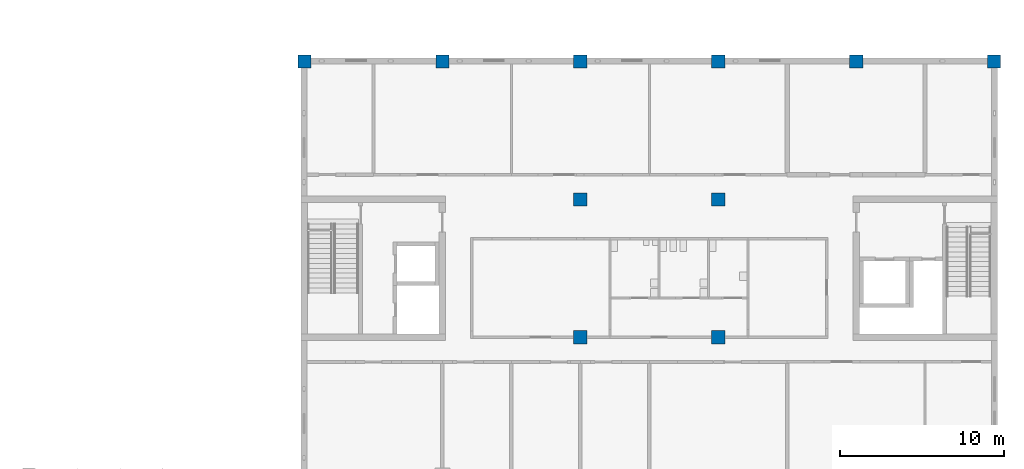
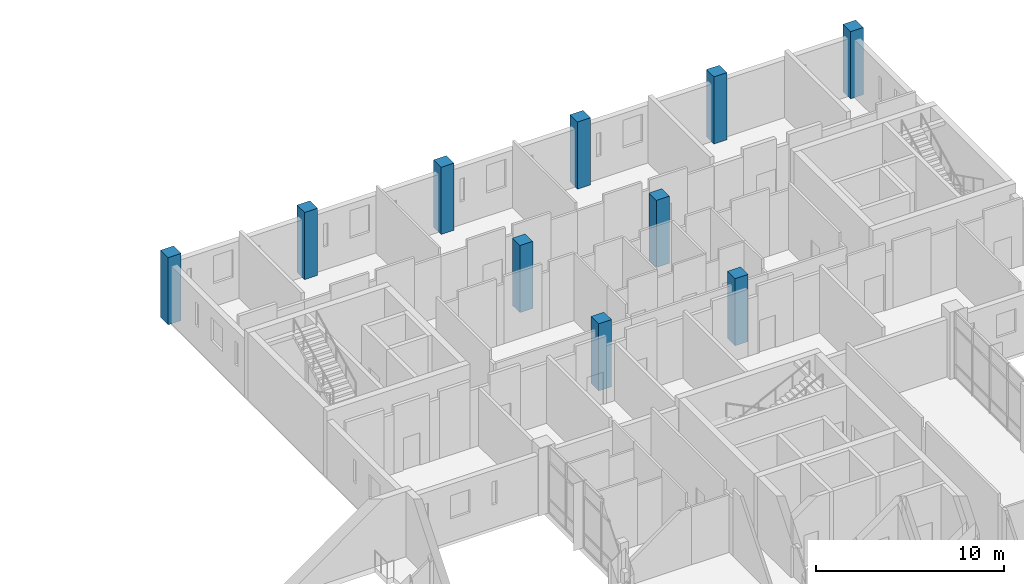
# One storey, part 5 of 70: 10 columns.
"""IFC4 building model written with IfcOpenShell, lengths in metres."""

from ifc_helpers import new_model, si_unit, direction, frame, origin, origin_2d, place, context, subcontext, project, spatial, rectangle, extrude, material, material_profile, profile_set, type_object, element, save


model = new_model("IFC4")

# Units and contexts
model_context = context("Model", 3, precision=1e-05, world=origin(), true_north=direction((0.0, 1.0)))
body_context = subcontext(model_context, "Body", "Model", "MODEL_VIEW")
ifc_project = project(units=[si_unit("LENGTHUNIT", "METRE"), si_unit("AREAUNIT", "SQUARE_METRE"), si_unit("VOLUMEUNIT", "CUBIC_METRE"), si_unit("PLANEANGLEUNIT", "RADIAN"), si_unit("MASSUNIT", "GRAM", prefix="KILO")], contexts=[model_context])

# Site, building, storey
site_placement = place(None, origin())
site = spatial("IfcSite", under=ifc_project, at=site_placement, CompositionType="ELEMENT")
building_placement = place(site_placement, origin())
building = spatial("IfcBuilding", under=site, at=building_placement, Name="Hlaing Beacon Police Headquarters", CompositionType="ELEMENT")
storey_placement = place(building_placement, frame((0.0, 0.0, 5.39990234375)))
storey = spatial("IfcBuildingStorey", under=building, at=storey_placement, Name="L01", CompositionType="ELEMENT", Elevation=5.39990234375)

# Columns
ifc_material = material(Name="Concrete C50/60", Category="concrete")
ifc_material_profile = material_profile(ifc_material, rectangle(XDim=0.800048828125, YDim=0.800048828125, at=origin_2d()), Name="800x800")
ifc_profile_set = profile_set([ifc_material_profile], Name="Concrete C50/60")
column_type = type_object("IfcColumnType", Name="RC column 800x800 C50/60", PredefinedType="COLUMN", material=ifc_profile_set)
for number, where, z_axis, x_axis, name in (
    (1, (92.39990234375, 92.39990234375, 0.0), (0.0, 0.0, 1.0), (1.0, 0.0, 0.0), "STR-COL-L01-M12"),
    (2, (100.800048828125, 92.39990234375, 0.0), (0.0, 0.0, 1.0), (1.0, 0.0, 0.0), "STR-COL-L01-N12"),
    (3, (109.199951171875, 75.60009765625, 0.0), (0.0, 0.0, 1.0), (1.0, 0.0, 0.0), "STR-COL-L01-P10"),
    (4, (109.199951171875, 84.0, 0.0), (0.0, 0.0, 1.0), (1.0, 0.0, 0.0), "STR-COL-L01-P11"),
    (5, (109.199951171875, 92.39990234375, 0.0), (0.0, 0.0, 1.0), (1.0, 0.0, 0.0), "STR-COL-L01-P12"),
    (6, (117.60009765625, 75.60009765625, 0.0), (0.0, 0.0, 1.0), (1.0, 0.0, 0.0), "STR-COL-L01-Q10"),
    (7, (117.60009765625, 84.0, 0.0), (0.0, 0.0, 1.0), (1.0, 0.0, 0.0), "STR-COL-L01-Q11"),
    (8, (117.60009765625, 92.39990234375, 0.0), (0.0, 0.0, 1.0), (1.0, 0.0, 0.0), "STR-COL-L01-Q12"),
    (9, (126.0, 92.39990234375, 0.0), (0.0, 0.0, 1.0), (1.0, 0.0, 0.0), "STR-COL-L01-R12"),
    (10, (134.39990234375, 92.39990234375, 0.0), (0.0, 0.0, 1.0), (1.0, 0.0, 0.0), "STR-COL-L01-S12"),
):
    element("IfcColumn", number, at=place(storey_placement, frame(where, z_axis=z_axis, x_axis=x_axis)), inside=storey, type_object=column_type, Name=name, PredefinedType="COLUMN", context=body_context, shape_type="SweptSolid", body=[
        extrude(rectangle(XDim=0.800048828125, YDim=0.800048828125, at=origin_2d()), origin(), (0.0, 0.0, 1.0), 4.3701171875),
    ])

save(model, "model.ifc")
